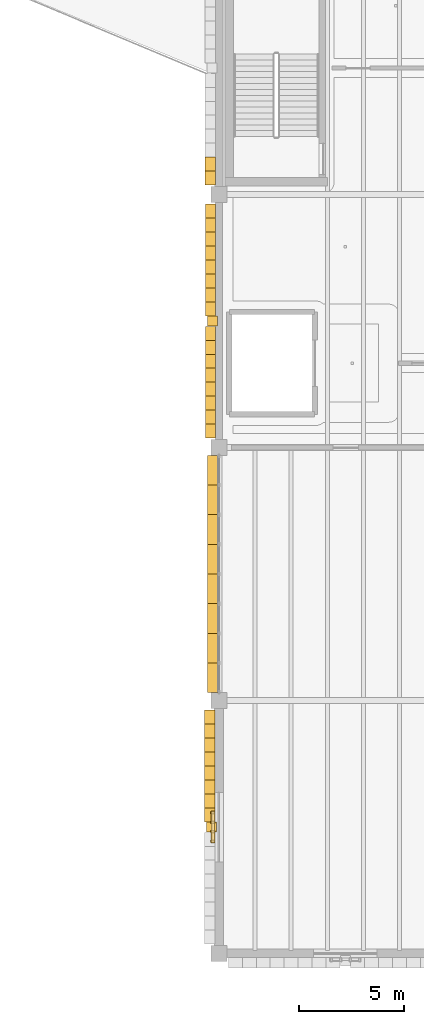
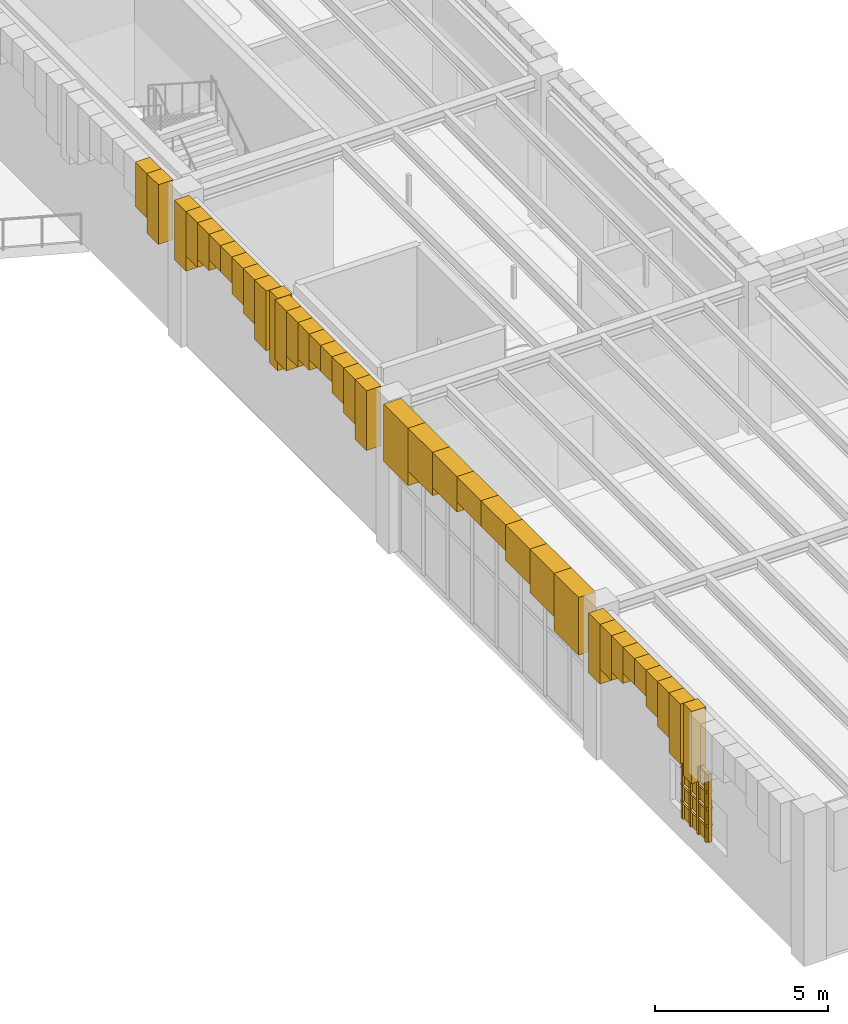
# One storey, part 75 of 103: 43 coverings, 1 shading device.
"""IFC4 building model written with IfcOpenShell, lengths in metres."""

from ifc_helpers import new_model, si_unit, direction, frame, origin, origin_2d, place, context, subcontext, project, spatial, polyline, rectangle, outline, extrude, material, layer, layer_set, type_object, element, save


model = new_model("IFC4")

# Units and contexts
model_context = context("Model", 3, precision=1e-05, world=origin(), true_north=direction((0.0, 1.0)))
body_context = subcontext(model_context, "Body", "Model", "MODEL_VIEW")
ifc_project = project(units=[si_unit("LENGTHUNIT", "METRE"), si_unit("AREAUNIT", "SQUARE_METRE"), si_unit("VOLUMEUNIT", "CUBIC_METRE"), si_unit("PLANEANGLEUNIT", "RADIAN"), si_unit("MASSUNIT", "GRAM", prefix="KILO")], contexts=[model_context])

# Site, building, storey
site_placement = place(None, origin())
site = spatial("IfcSite", under=ifc_project, at=site_placement, CompositionType="ELEMENT")
building_placement = place(site_placement, origin())
building = spatial("IfcBuilding", under=site, at=building_placement, Name="Zlatogorsky Bluff Art Gallery", CompositionType="ELEMENT")
storey_placement = place(building_placement, origin())
storey = spatial("IfcBuildingStorey", under=building, at=storey_placement, Name="L00", CompositionType="ELEMENT", Elevation=0.0)

# Coverings
ifc_material_1 = material(Name="Honed Red Agra-Tone Quartzitic Sandstone", Category="masonry")
ifc_layer = layer(ifc_material_1, 0.1201171875)
ifc_layer_set = layer_set([ifc_layer], Name="Carved Sandstone Cladding CLD-02")
covering_type = type_object("IfcCoveringType", Name="Carved Sandstone Cladding CLD-02", PredefinedType="CLADDING", material=ifc_layer_set)
covering_1_placement = place(storey_placement, frame((0.0, 0.0, 2.81005859375)))
element("IfcCovering", 1, at=covering_1_placement, inside=storey, type_object=covering_type, Name="Mughal blind-arch sandstone pilaster L00.W.10.3", PredefinedType="CLADDING", context=body_context, shape_type="SweptSolid", body=[
    extrude(outline(polyline([(119.419921875, 32.159912109375), (119.89990234375, 32.159912109375), (119.89990234375, 32.639892578125), (119.419921875, 32.639892578125), (119.419921875, 32.159912109375)])), origin(), (0.0, 0.0, 1.0), 2.550048828125),
])
covering_2_placement = place(storey_placement, frame((0.0, 0.0, 3.25244140625)))
element("IfcCovering", 2, at=covering_2_placement, inside=storey, type_object=covering_type, Name="Pointed Mughal arch voussoir spandrel WARCH-L00-W-10-03-B.1", PredefinedType="CLADDING", context=body_context, shape_type="SweptSolid", body=[
    extrude(outline(polyline([(119.320068359375, 32.64990234375), (119.320068359375, 33.3125), (119.81005859375, 33.3125), (119.81005859375, 32.64990234375), (119.320068359375, 32.64990234375)])), origin(), (0.0, 0.0, 1.0), 2.107666015625),
])
covering_3_placement = place(storey_placement, frame((0.0, 0.0, 3.78369140625)))
element("IfcCovering", 3, at=covering_3_placement, inside=storey, type_object=covering_type, Name="Pointed Mughal arch voussoir spandrel WARCH-L00-W-10-03-B.2", PredefinedType="CLADDING", context=body_context, shape_type="SweptSolid", body=[
    extrude(outline(polyline([(119.320068359375, 33.3125), (119.320068359375, 33.97509765625), (119.81005859375, 33.97509765625), (119.81005859375, 33.3125), (119.320068359375, 33.3125)])), origin(), (0.0, 0.0, 1.0), 1.576416015625),
])
covering_4_placement = place(storey_placement, frame((0.0, 0.0, 4.07666015625)))
element("IfcCovering", 4, at=covering_4_placement, inside=storey, type_object=covering_type, Name="Pointed Mughal arch voussoir spandrel WARCH-L00-W-10-03-B.3", PredefinedType="CLADDING", context=body_context, shape_type="SweptSolid", body=[
    extrude(outline(polyline([(119.320068359375, 33.97509765625), (119.320068359375, 34.637451171875), (119.81005859375, 34.637451171875), (119.81005859375, 33.97509765625), (119.320068359375, 33.97509765625)])), origin(), (0.0, 0.0, 1.0), 1.283447265625),
])
covering_5_placement = place(storey_placement, frame((0.0, 0.0, 4.4453125)))
element("IfcCovering", 5, at=covering_5_placement, inside=storey, type_object=covering_type, Name="Pointed Mughal arch voussoir spandrel WARCH-L00-W-10-03-B.4", PredefinedType="CLADDING", context=body_context, shape_type="SweptSolid", body=[
    extrude(outline(polyline([(119.320068359375, 34.637451171875), (119.320068359375, 35.300048828125), (119.81005859375, 35.300048828125), (119.81005859375, 34.637451171875), (119.320068359375, 34.637451171875)])), origin(), (0.0, 0.0, 1.0), 0.914794921875),
])
covering_6_placement = place(storey_placement, frame((0.0, 0.0, 4.4453125)))
element("IfcCovering", 6, at=covering_6_placement, inside=storey, type_object=covering_type, Name="Pointed Mughal arch voussoir spandrel WARCH-L00-W-10-03-B.5", PredefinedType="CLADDING", context=body_context, shape_type="SweptSolid", body=[
    extrude(outline(polyline([(119.320068359375, 35.300048828125), (119.320068359375, 35.96240234375), (119.81005859375, 35.96240234375), (119.81005859375, 35.300048828125), (119.320068359375, 35.300048828125)])), origin(), (0.0, 0.0, 1.0), 0.914794921875),
])
covering_7_placement = place(storey_placement, frame((0.0, 0.0, 4.07666015625)))
element("IfcCovering", 7, at=covering_7_placement, inside=storey, type_object=covering_type, Name="Pointed Mughal arch voussoir spandrel WARCH-L00-W-10-03-B.6", PredefinedType="CLADDING", context=body_context, shape_type="SweptSolid", body=[
    extrude(outline(polyline([(119.320068359375, 35.96240234375), (119.320068359375, 36.625), (119.81005859375, 36.625), (119.81005859375, 35.96240234375), (119.320068359375, 35.96240234375)])), origin(), (0.0, 0.0, 1.0), 1.283447265625),
])
covering_8_placement = place(storey_placement, frame((0.0, 0.0, 3.78369140625)))
element("IfcCovering", 8, at=covering_8_placement, inside=storey, type_object=covering_type, Name="Pointed Mughal arch voussoir spandrel WARCH-L00-W-10-03-B.7", PredefinedType="CLADDING", context=body_context, shape_type="SweptSolid", body=[
    extrude(outline(polyline([(119.320068359375, 36.625), (119.320068359375, 37.28759765625), (119.81005859375, 37.28759765625), (119.81005859375, 36.625), (119.320068359375, 36.625)])), origin(), (0.0, 0.0, 1.0), 1.576416015625),
])
covering_9_placement = place(storey_placement, frame((0.0, 0.0, 3.25244140625)))
element("IfcCovering", 9, at=covering_9_placement, inside=storey, type_object=covering_type, Name="Pointed Mughal arch voussoir spandrel WARCH-L00-W-10-03-B.8", PredefinedType="CLADDING", context=body_context, shape_type="SweptSolid", body=[
    extrude(outline(polyline([(119.320068359375, 37.28759765625), (119.320068359375, 37.949951171875), (119.81005859375, 37.949951171875), (119.81005859375, 37.28759765625), (119.320068359375, 37.28759765625)])), origin(), (0.0, 0.0, 1.0), 2.107666015625),
])
covering_10_placement = place(storey_placement, frame((0.0, 0.0, 0.949951171875)))
element("IfcCovering", 10, at=covering_10_placement, inside=storey, type_object=covering_type, Name="Pierced sandstone jali lattice bar L00.W.10.3", PredefinedType="CLADDING", context=body_context, shape_type="SweptSolid", body=[
    extrude(outline(polyline([(119.6201171875, 31.679931640625), (119.6201171875, 31.77001953125), (119.81005859375, 31.77001953125), (119.81005859375, 31.679931640625), (119.6201171875, 31.679931640625)])), origin(), (0.0, 0.0, 1.0), 2.400146484375),
])
covering_11_placement = place(storey_placement, frame((0.0, 0.0, 0.949951171875)))
element("IfcCovering", 11, at=covering_11_placement, inside=storey, type_object=covering_type, Name="Pierced sandstone jali lattice bar L00.W.10.3", PredefinedType="CLADDING", context=body_context, shape_type="SweptSolid", body=[
    extrude(outline(polyline([(119.6201171875, 32.1298828125), (119.6201171875, 32.219970703125), (119.81005859375, 32.219970703125), (119.81005859375, 32.1298828125), (119.6201171875, 32.1298828125)])), origin(), (0.0, 0.0, 1.0), 2.400146484375),
])
covering_12_placement = place(storey_placement, frame((0.0, 0.0, 0.949951171875)))
element("IfcCovering", 12, at=covering_12_placement, inside=storey, type_object=covering_type, Name="Pierced sandstone jali lattice bar L00.W.10.3", PredefinedType="CLADDING", context=body_context, shape_type="SweptSolid", body=[
    extrude(outline(polyline([(119.6201171875, 32.580078125), (119.6201171875, 32.669921875), (119.81005859375, 32.669921875), (119.81005859375, 32.580078125), (119.6201171875, 32.580078125)])), origin(), (0.0, 0.0, 1.0), 2.400146484375),
])
covering_13_placement = place(storey_placement, frame((0.0, 0.0, 0.949951171875)))
element("IfcCovering", 13, at=covering_13_placement, inside=storey, type_object=covering_type, Name="Pierced sandstone jali lattice bar L00.W.10.3", PredefinedType="CLADDING", context=body_context, shape_type="SweptSolid", body=[
    extrude(outline(polyline([(119.6201171875, 33.030029296875), (119.6201171875, 33.1201171875), (119.81005859375, 33.1201171875), (119.81005859375, 33.030029296875), (119.6201171875, 33.030029296875)])), origin(), (0.0, 0.0, 1.0), 2.400146484375),
])
covering_14_placement = place(storey_placement, frame((0.0, 0.0, 1.510009765625)))
element("IfcCovering", 14, at=covering_14_placement, inside=storey, type_object=covering_type, Name="Pierced sandstone jali lattice transom L00.W.10.3", PredefinedType="CLADDING", context=body_context, shape_type="SweptSolid", body=[
    extrude(outline(polyline([(119.6201171875, 31.64990234375), (119.6201171875, 33.14990234375), (119.81005859375, 33.14990234375), (119.81005859375, 31.64990234375), (119.6201171875, 31.64990234375)])), origin(), (0.0, 0.0, 1.0), 0.080078125),
])
covering_15_placement = place(storey_placement, frame((0.0, 0.0, 2.110107421875)))
element("IfcCovering", 15, at=covering_15_placement, inside=storey, type_object=covering_type, Name="Pierced sandstone jali lattice transom L00.W.10.3", PredefinedType="CLADDING", context=body_context, shape_type="SweptSolid", body=[
    extrude(outline(polyline([(119.6201171875, 31.64990234375), (119.6201171875, 33.14990234375), (119.81005859375, 33.14990234375), (119.81005859375, 31.64990234375), (119.6201171875, 31.64990234375)])), origin(), (0.0, 0.0, 1.0), 0.079833984375),
])
covering_16_placement = place(storey_placement, frame((0.0, 0.0, 2.7099609375)))
element("IfcCovering", 16, at=covering_16_placement, inside=storey, type_object=covering_type, Name="Pierced sandstone jali lattice transom L00.W.10.3", PredefinedType="CLADDING", context=body_context, shape_type="SweptSolid", body=[
    extrude(outline(polyline([(119.6201171875, 31.64990234375), (119.6201171875, 33.14990234375), (119.81005859375, 33.14990234375), (119.81005859375, 31.64990234375), (119.6201171875, 31.64990234375)])), origin(), (0.0, 0.0, 1.0), 0.080078125),
])
covering_17_placement = place(storey_placement, frame((0.0, 0.0, 3.327880859375)))
element("IfcCovering", 17, at=covering_17_placement, inside=storey, type_object=covering_type, Name="Pointed Mughal arch voussoir spandrel ARCH-CW-L00-W-10-04.1", PredefinedType="CLADDING", context=body_context, shape_type="SweptSolid", body=[
    extrude(outline(polyline([(119.4599609375, 38.77001953125), (119.4599609375, 40.177490234375), (120.030029296875, 40.177490234375), (120.030029296875, 38.77001953125), (119.4599609375, 38.77001953125)])), origin(), (0.0, 0.0, 1.0), 2.0322265625),
])
covering_18_placement = place(storey_placement, frame((0.0, 0.0, 3.82958984375)))
element("IfcCovering", 18, at=covering_18_placement, inside=storey, type_object=covering_type, Name="Pointed Mughal arch voussoir spandrel ARCH-CW-L00-W-10-04.2", PredefinedType="CLADDING", context=body_context, shape_type="SweptSolid", body=[
    extrude(outline(polyline([(119.4599609375, 40.177490234375), (119.4599609375, 41.5849609375), (120.030029296875, 41.5849609375), (120.030029296875, 40.177490234375), (119.4599609375, 40.177490234375)])), origin(), (0.0, 0.0, 1.0), 1.530517578125),
])
covering_19_placement = place(storey_placement, frame((0.0, 0.0, 4.1064453125)))
element("IfcCovering", 19, at=covering_19_placement, inside=storey, type_object=covering_type, Name="Pointed Mughal arch voussoir spandrel ARCH-CW-L00-W-10-04.3", PredefinedType="CLADDING", context=body_context, shape_type="SweptSolid", body=[
    extrude(outline(polyline([(119.4599609375, 41.5849609375), (119.4599609375, 42.992431640625), (120.030029296875, 42.992431640625), (120.030029296875, 41.5849609375), (119.4599609375, 41.5849609375)])), origin(), (0.0, 0.0, 1.0), 1.253662109375),
])
covering_20_placement = place(storey_placement, frame((0.0, 0.0, 4.45458984375)))
element("IfcCovering", 20, at=covering_20_placement, inside=storey, type_object=covering_type, Name="Pointed Mughal arch voussoir spandrel ARCH-CW-L00-W-10-04.4", PredefinedType="CLADDING", context=body_context, shape_type="SweptSolid", body=[
    extrude(outline(polyline([(119.4599609375, 42.992431640625), (119.4599609375, 44.39990234375), (120.030029296875, 44.39990234375), (120.030029296875, 42.992431640625), (119.4599609375, 42.992431640625)])), origin(), (0.0, 0.0, 1.0), 0.905517578125),
])
covering_21_placement = place(storey_placement, frame((0.0, 0.0, 4.45458984375)))
element("IfcCovering", 21, at=covering_21_placement, inside=storey, type_object=covering_type, Name="Pointed Mughal arch voussoir spandrel ARCH-CW-L00-W-10-04.5", PredefinedType="CLADDING", context=body_context, shape_type="SweptSolid", body=[
    extrude(outline(polyline([(119.4599609375, 44.39990234375), (119.4599609375, 45.8076171875), (120.030029296875, 45.8076171875), (120.030029296875, 44.39990234375), (119.4599609375, 44.39990234375)])), origin(), (0.0, 0.0, 1.0), 0.905517578125),
])
covering_22_placement = place(storey_placement, frame((0.0, 0.0, 4.1064453125)))
element("IfcCovering", 22, at=covering_22_placement, inside=storey, type_object=covering_type, Name="Pointed Mughal arch voussoir spandrel ARCH-CW-L00-W-10-04.6", PredefinedType="CLADDING", context=body_context, shape_type="SweptSolid", body=[
    extrude(outline(polyline([(119.4599609375, 45.8076171875), (119.4599609375, 47.215087890625), (120.030029296875, 47.215087890625), (120.030029296875, 45.8076171875), (119.4599609375, 45.8076171875)])), origin(), (0.0, 0.0, 1.0), 1.253662109375),
])
covering_23_placement = place(storey_placement, frame((0.0, 0.0, 3.82958984375)))
element("IfcCovering", 23, at=covering_23_placement, inside=storey, type_object=covering_type, Name="Pointed Mughal arch voussoir spandrel ARCH-CW-L00-W-10-04.7", PredefinedType="CLADDING", context=body_context, shape_type="SweptSolid", body=[
    extrude(outline(polyline([(119.4599609375, 47.215087890625), (119.4599609375, 48.62255859375), (120.030029296875, 48.62255859375), (120.030029296875, 47.215087890625), (119.4599609375, 47.215087890625)])), origin(), (0.0, 0.0, 1.0), 1.530517578125),
])
covering_24_placement = place(storey_placement, frame((0.0, 0.0, 3.327880859375)))
element("IfcCovering", 24, at=covering_24_placement, inside=storey, type_object=covering_type, Name="Pointed Mughal arch voussoir spandrel ARCH-CW-L00-W-10-04.8", PredefinedType="CLADDING", context=body_context, shape_type="SweptSolid", body=[
    extrude(outline(polyline([(119.4599609375, 48.62255859375), (119.4599609375, 50.030029296875), (120.030029296875, 50.030029296875), (120.030029296875, 48.62255859375), (119.4599609375, 48.62255859375)])), origin(), (0.0, 0.0, 1.0), 2.0322265625),
])
covering_25_placement = place(storey_placement, frame((0.0, 0.0, 2.81005859375)))
element("IfcCovering", 25, at=covering_25_placement, inside=storey, type_object=covering_type, Name="Mughal blind-arch sandstone pilaster L00.W.10.5", PredefinedType="CLADDING", context=body_context, shape_type="SweptSolid", body=[
    extrude(outline(polyline([(119.4599609375, 56.159912109375), (119.93994140625, 56.159912109375), (119.93994140625, 56.639892578125), (119.4599609375, 56.639892578125), (119.4599609375, 56.159912109375)])), origin(), (0.0, 0.0, 1.0), 2.550048828125),
])
covering_26_placement = place(storey_placement, frame((0.0, 0.0, 3.25244140625)))
element("IfcCovering", 26, at=covering_26_placement, inside=storey, type_object=covering_type, Name="Pointed Mughal arch voussoir spandrel WARCH-L00-W-10-05-A.1", PredefinedType="CLADDING", context=body_context, shape_type="SweptSolid", body=[
    extrude(outline(polyline([(119.360107421875, 50.85009765625), (119.360107421875, 51.512451171875), (119.85009765625, 51.512451171875), (119.85009765625, 50.85009765625), (119.360107421875, 50.85009765625)])), origin(), (0.0, 0.0, 1.0), 2.107666015625),
])
covering_27_placement = place(storey_placement, frame((0.0, 0.0, 3.78369140625)))
element("IfcCovering", 27, at=covering_27_placement, inside=storey, type_object=covering_type, Name="Pointed Mughal arch voussoir spandrel WARCH-L00-W-10-05-A.2", PredefinedType="CLADDING", context=body_context, shape_type="SweptSolid", body=[
    extrude(outline(polyline([(119.360107421875, 51.512451171875), (119.360107421875, 52.175048828125), (119.85009765625, 52.175048828125), (119.85009765625, 51.512451171875), (119.360107421875, 51.512451171875)])), origin(), (0.0, 0.0, 1.0), 1.576416015625),
])
covering_28_placement = place(storey_placement, frame((0.0, 0.0, 4.07666015625)))
element("IfcCovering", 28, at=covering_28_placement, inside=storey, type_object=covering_type, Name="Pointed Mughal arch voussoir spandrel WARCH-L00-W-10-05-A.3", PredefinedType="CLADDING", context=body_context, shape_type="SweptSolid", body=[
    extrude(outline(polyline([(119.360107421875, 52.175048828125), (119.360107421875, 52.83740234375), (119.85009765625, 52.83740234375), (119.85009765625, 52.175048828125), (119.360107421875, 52.175048828125)])), origin(), (0.0, 0.0, 1.0), 1.283447265625),
])
covering_29_placement = place(storey_placement, frame((0.0, 0.0, 4.4453125)))
element("IfcCovering", 29, at=covering_29_placement, inside=storey, type_object=covering_type, Name="Pointed Mughal arch voussoir spandrel WARCH-L00-W-10-05-A.4", PredefinedType="CLADDING", context=body_context, shape_type="SweptSolid", body=[
    extrude(outline(polyline([(119.360107421875, 52.83740234375), (119.360107421875, 53.5), (119.85009765625, 53.5), (119.85009765625, 52.83740234375), (119.360107421875, 52.83740234375)])), origin(), (0.0, 0.0, 1.0), 0.914794921875),
])
covering_30_placement = place(storey_placement, frame((0.0, 0.0, 4.4453125)))
element("IfcCovering", 30, at=covering_30_placement, inside=storey, type_object=covering_type, Name="Pointed Mughal arch voussoir spandrel WARCH-L00-W-10-05-A.5", PredefinedType="CLADDING", context=body_context, shape_type="SweptSolid", body=[
    extrude(outline(polyline([(119.360107421875, 53.5), (119.360107421875, 54.16259765625), (119.85009765625, 54.16259765625), (119.85009765625, 53.5), (119.360107421875, 53.5)])), origin(), (0.0, 0.0, 1.0), 0.914794921875),
])
covering_31_placement = place(storey_placement, frame((0.0, 0.0, 4.07666015625)))
element("IfcCovering", 31, at=covering_31_placement, inside=storey, type_object=covering_type, Name="Pointed Mughal arch voussoir spandrel WARCH-L00-W-10-05-A.6", PredefinedType="CLADDING", context=body_context, shape_type="SweptSolid", body=[
    extrude(outline(polyline([(119.360107421875, 54.16259765625), (119.360107421875, 54.824951171875), (119.85009765625, 54.824951171875), (119.85009765625, 54.16259765625), (119.360107421875, 54.16259765625)])), origin(), (0.0, 0.0, 1.0), 1.283447265625),
])
covering_32_placement = place(storey_placement, frame((0.0, 0.0, 3.78369140625)))
element("IfcCovering", 32, at=covering_32_placement, inside=storey, type_object=covering_type, Name="Pointed Mughal arch voussoir spandrel WARCH-L00-W-10-05-A.7", PredefinedType="CLADDING", context=body_context, shape_type="SweptSolid", body=[
    extrude(outline(polyline([(119.360107421875, 54.824951171875), (119.360107421875, 55.487548828125), (119.85009765625, 55.487548828125), (119.85009765625, 54.824951171875), (119.360107421875, 54.824951171875)])), origin(), (0.0, 0.0, 1.0), 1.576416015625),
])
covering_33_placement = place(storey_placement, frame((0.0, 0.0, 3.25244140625)))
element("IfcCovering", 33, at=covering_33_placement, inside=storey, type_object=covering_type, Name="Pointed Mughal arch voussoir spandrel WARCH-L00-W-10-05-A.8", PredefinedType="CLADDING", context=body_context, shape_type="SweptSolid", body=[
    extrude(outline(polyline([(119.360107421875, 55.487548828125), (119.360107421875, 56.14990234375), (119.85009765625, 56.14990234375), (119.85009765625, 55.487548828125), (119.360107421875, 55.487548828125)])), origin(), (0.0, 0.0, 1.0), 2.107666015625),
])
covering_34_placement = place(storey_placement, frame((0.0, 0.0, 3.25244140625)))
element("IfcCovering", 34, at=covering_34_placement, inside=storey, type_object=covering_type, Name="Pointed Mughal arch voussoir spandrel WARCH-L00-W-10-05-B.1", PredefinedType="CLADDING", context=body_context, shape_type="SweptSolid", body=[
    extrude(outline(polyline([(119.360107421875, 56.64990234375), (119.360107421875, 57.3125), (119.85009765625, 57.3125), (119.85009765625, 56.64990234375), (119.360107421875, 56.64990234375)])), origin(), (0.0, 0.0, 1.0), 2.107666015625),
])
covering_35_placement = place(storey_placement, frame((0.0, 0.0, 3.78369140625)))
element("IfcCovering", 35, at=covering_35_placement, inside=storey, type_object=covering_type, Name="Pointed Mughal arch voussoir spandrel WARCH-L00-W-10-05-B.2", PredefinedType="CLADDING", context=body_context, shape_type="SweptSolid", body=[
    extrude(outline(polyline([(119.360107421875, 57.3125), (119.360107421875, 57.97509765625), (119.85009765625, 57.97509765625), (119.85009765625, 57.3125), (119.360107421875, 57.3125)])), origin(), (0.0, 0.0, 1.0), 1.576416015625),
])
covering_36_placement = place(storey_placement, frame((0.0, 0.0, 4.07666015625)))
element("IfcCovering", 36, at=covering_36_placement, inside=storey, type_object=covering_type, Name="Pointed Mughal arch voussoir spandrel WARCH-L00-W-10-05-B.3", PredefinedType="CLADDING", context=body_context, shape_type="SweptSolid", body=[
    extrude(outline(polyline([(119.360107421875, 57.97509765625), (119.360107421875, 58.637451171875), (119.85009765625, 58.637451171875), (119.85009765625, 57.97509765625), (119.360107421875, 57.97509765625)])), origin(), (0.0, 0.0, 1.0), 1.283447265625),
])
covering_37_placement = place(storey_placement, frame((0.0, 0.0, 4.4453125)))
element("IfcCovering", 37, at=covering_37_placement, inside=storey, type_object=covering_type, Name="Pointed Mughal arch voussoir spandrel WARCH-L00-W-10-05-B.4", PredefinedType="CLADDING", context=body_context, shape_type="SweptSolid", body=[
    extrude(outline(polyline([(119.360107421875, 58.637451171875), (119.360107421875, 59.300048828125), (119.85009765625, 59.300048828125), (119.85009765625, 58.637451171875), (119.360107421875, 58.637451171875)])), origin(), (0.0, 0.0, 1.0), 0.914794921875),
])
covering_38_placement = place(storey_placement, frame((0.0, 0.0, 4.4453125)))
element("IfcCovering", 38, at=covering_38_placement, inside=storey, type_object=covering_type, Name="Pointed Mughal arch voussoir spandrel WARCH-L00-W-10-05-B.5", PredefinedType="CLADDING", context=body_context, shape_type="SweptSolid", body=[
    extrude(outline(polyline([(119.360107421875, 59.300048828125), (119.360107421875, 59.96240234375), (119.85009765625, 59.96240234375), (119.85009765625, 59.300048828125), (119.360107421875, 59.300048828125)])), origin(), (0.0, 0.0, 1.0), 0.914794921875),
])
covering_39_placement = place(storey_placement, frame((0.0, 0.0, 4.07666015625)))
element("IfcCovering", 39, at=covering_39_placement, inside=storey, type_object=covering_type, Name="Pointed Mughal arch voussoir spandrel WARCH-L00-W-10-05-B.6", PredefinedType="CLADDING", context=body_context, shape_type="SweptSolid", body=[
    extrude(outline(polyline([(119.360107421875, 59.96240234375), (119.360107421875, 60.625), (119.85009765625, 60.625), (119.85009765625, 59.96240234375), (119.360107421875, 59.96240234375)])), origin(), (0.0, 0.0, 1.0), 1.283447265625),
])
covering_40_placement = place(storey_placement, frame((0.0, 0.0, 3.78369140625)))
element("IfcCovering", 40, at=covering_40_placement, inside=storey, type_object=covering_type, Name="Pointed Mughal arch voussoir spandrel WARCH-L00-W-10-05-B.7", PredefinedType="CLADDING", context=body_context, shape_type="SweptSolid", body=[
    extrude(outline(polyline([(119.360107421875, 60.625), (119.360107421875, 61.28759765625), (119.85009765625, 61.28759765625), (119.85009765625, 60.625), (119.360107421875, 60.625)])), origin(), (0.0, 0.0, 1.0), 1.576416015625),
])
covering_41_placement = place(storey_placement, frame((0.0, 0.0, 3.25244140625)))
element("IfcCovering", 41, at=covering_41_placement, inside=storey, type_object=covering_type, Name="Pointed Mughal arch voussoir spandrel WARCH-L00-W-10-05-B.8", PredefinedType="CLADDING", context=body_context, shape_type="SweptSolid", body=[
    extrude(outline(polyline([(119.360107421875, 61.28759765625), (119.360107421875, 61.949951171875), (119.85009765625, 61.949951171875), (119.85009765625, 61.28759765625), (119.360107421875, 61.28759765625)])), origin(), (0.0, 0.0, 1.0), 2.107666015625),
])
covering_42_placement = place(storey_placement, frame((0.0, 0.0, 3.25244140625)))
element("IfcCovering", 42, at=covering_42_placement, inside=storey, type_object=covering_type, Name="Pointed Mughal arch voussoir spandrel WARCH-L00-W-10-06-A.1", PredefinedType="CLADDING", context=body_context, shape_type="SweptSolid", body=[
    extrude(outline(polyline([(119.340087890625, 62.85009765625), (119.340087890625, 63.512451171875), (119.830078125, 63.512451171875), (119.830078125, 62.85009765625), (119.340087890625, 62.85009765625)])), origin(), (0.0, 0.0, 1.0), 2.107666015625),
])
covering_43_placement = place(storey_placement, frame((0.0, 0.0, 3.78369140625)))
element("IfcCovering", 43, at=covering_43_placement, inside=storey, type_object=covering_type, Name="Pointed Mughal arch voussoir spandrel WARCH-L00-W-10-06-A.2", PredefinedType="CLADDING", context=body_context, shape_type="SweptSolid", body=[
    extrude(outline(polyline([(119.340087890625, 63.512451171875), (119.340087890625, 64.175048828125), (119.830078125, 64.175048828125), (119.830078125, 63.512451171875), (119.340087890625, 63.512451171875)])), origin(), (0.0, 0.0, 1.0), 1.576416015625),
])

# Shading device
ifc_material_2 = material(Name="CNC-Pierced Red Quartzitic Sandstone Jali", Category="masonry")
shading_device_type = type_object("IfcShadingDeviceType", Name="Pierced Stone Jali Screen JAL-01", PredefinedType="JALOUSIE", material=ifc_material_2)
shading_device_placement = place(storey_placement, frame((119.739990234375, 32.39990234375, 0.949951171875), z_axis=(0.0, 0.0, 1.0), x_axis=(1.0, 0.0, 0.0)))
element("IfcShadingDevice", 44, at=shading_device_placement, inside=storey, type_object=shading_device_type, Name="Pierced stone jali screen JAL-01", PredefinedType="JALOUSIE", context=body_context, shape_type="SweptSolid", body=[
    extrude(rectangle(XDim=0.1201171875, YDim=1.5, at=origin_2d()), origin(), (0.0, 0.0, 1.0), 2.39990234375),
])

save(model, "model.ifc")
